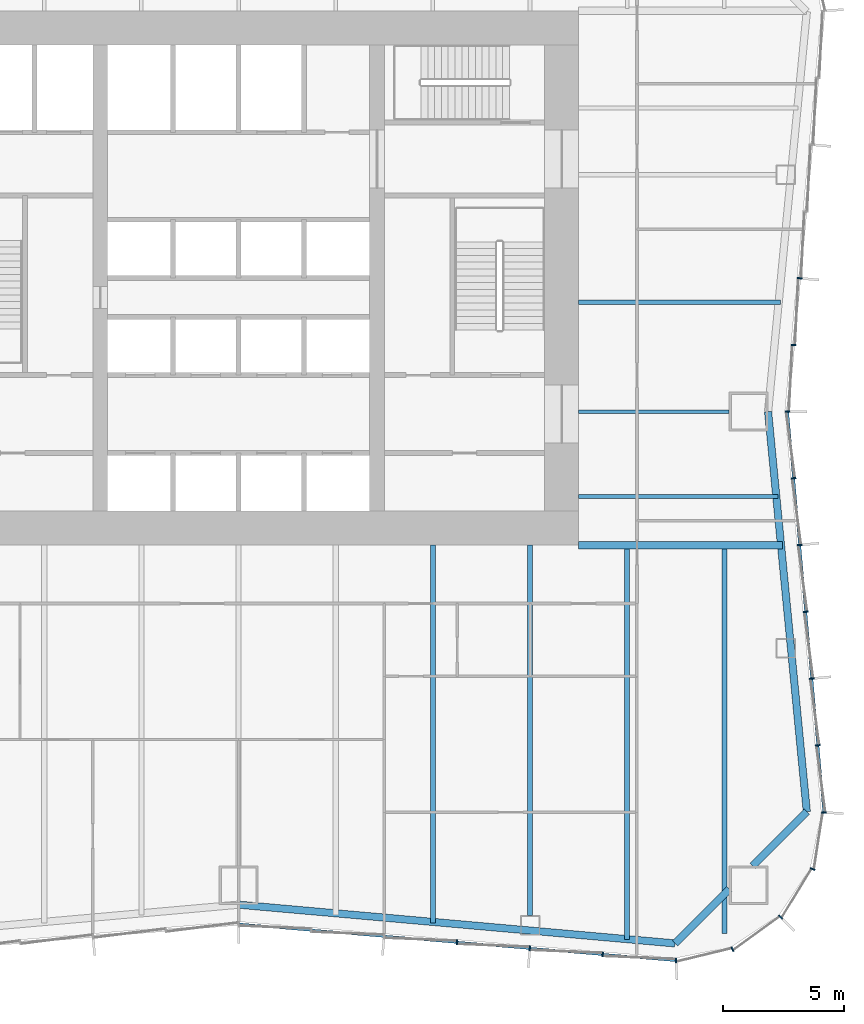
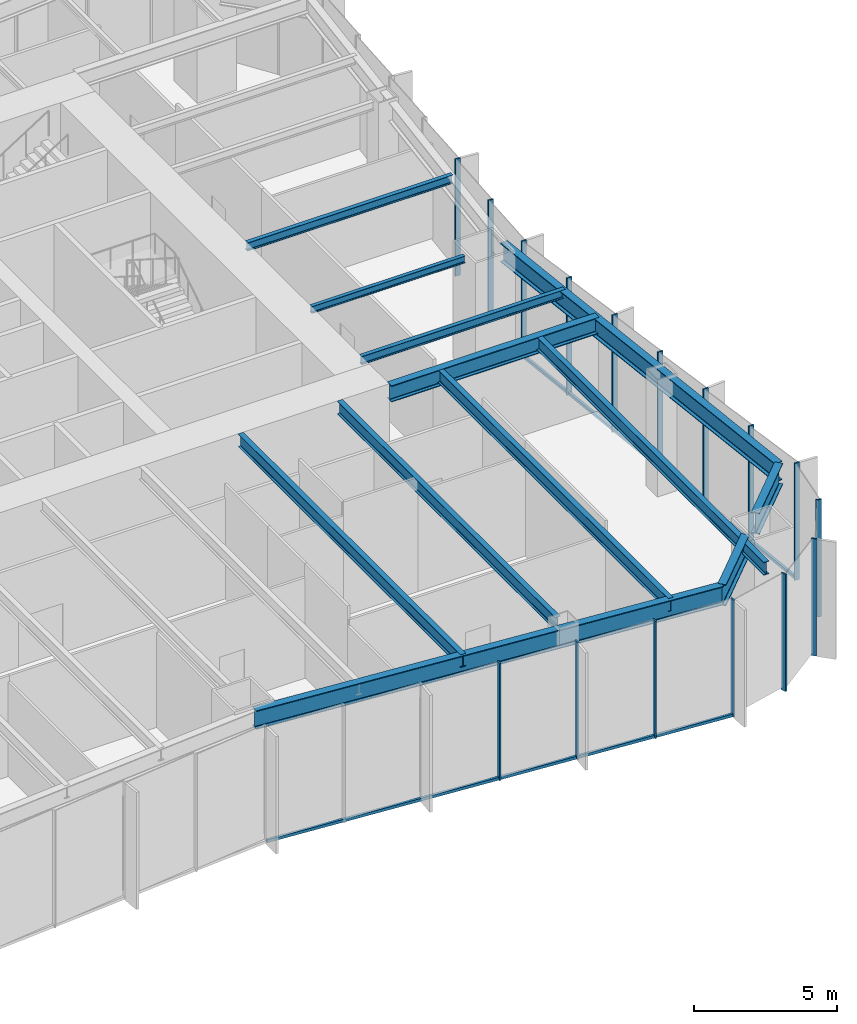
# One storey, part 4 of 14: 18 members, 12 beams, 3 elements without a shape of their own.
"""IFC4 building model written with IfcOpenShell, lengths in metres."""

from ifc_helpers import new_model, si_unit, direction, frame, origin, origin_2d, place, context, subcontext, project, spatial, rectangle, i_section, extrude, material, material_profile, profile_set, type_object, element, aggregate, save


model = new_model("IFC4")

# Units and contexts
model_context = context("Model", 3, precision=1e-05, world=origin(), true_north=direction((0.0, 1.0)))
body_context = subcontext(model_context, "Body", "Model", "MODEL_VIEW")
ifc_project = project(units=[si_unit("LENGTHUNIT", "METRE"), si_unit("AREAUNIT", "SQUARE_METRE"), si_unit("VOLUMEUNIT", "CUBIC_METRE"), si_unit("PLANEANGLEUNIT", "RADIAN"), si_unit("MASSUNIT", "GRAM", prefix="KILO")], contexts=[model_context])

# Site, building, storey
site_placement = place(None, origin())
site = spatial("IfcSite", under=ifc_project, at=site_placement, CompositionType="ELEMENT")
building_placement = place(site_placement, origin())
building = spatial("IfcBuilding", under=site, at=building_placement, Name="Verdant Reach Tower", CompositionType="ELEMENT")
storey_placement = place(building_placement, frame((0.0, 0.0, 9.0)))
storey = spatial("IfcBuildingStorey", under=building, at=storey_placement, Name="L01", CompositionType="ELEMENT", Elevation=9.0)

# Curtain wall, members
ifc_material_1 = material(Name="Anodised aluminium", Category="aluminium")
curtain_wall_type = type_object("IfcCurtainWallType", Name="EN-CW SYSTEM Z0", PredefinedType="NOTDEFINED", material=ifc_material_1)
curtain_wall_1_placement = place(storey_placement, origin())
curtain_wall_1 = element("IfcCurtainWall", 1, at=curtain_wall_1_placement, inside=storey, type_object=curtain_wall_type, Name="Curtain wall south-east corner, L01", PredefinedType="NOTDEFINED")
ifc_material_profile_1 = material_profile(ifc_material_1, rectangle(XDim=0.199951171875, YDim=0.06005859375, at=origin_2d()), Name="Mullion 60x200")
ifc_profile_set_1 = profile_set([ifc_material_profile_1], Name="Anodised aluminium")
member_type_1 = type_object("IfcMemberType", Name="EN-MULLION Z0", PredefinedType="MULLION", material=ifc_profile_set_1)
member_1_placement = place(storey_placement, frame((18.005615234375, -0.099853515625, -0.35009765625), z_axis=(0.0, 0.0, 1.0), x_axis=(0.056569187765, -0.998398681387, 0.0)))
member_1 = element("IfcMember", 2, at=member_1_placement, type_object=member_type_1, Name="Mullion south-east corner 1, L01", PredefinedType="MULLION", context=body_context, shape_type="SweptSolid", body=[
    extrude(rectangle(XDim=0.199951171875, YDim=0.06005859375, at=origin_2d()), origin(), (0.0, 0.0, 1.0), 5.0),
])
member_2_placement = place(storey_placement, frame((20.33447265625, 0.3642578125, -0.35009765625), z_axis=(0.0, 0.0, 1.0), x_axis=(0.382693853776, -0.923875215753, 0.0)))
member_2 = element("IfcMember", 3, at=member_2_placement, type_object=member_type_1, Name="Mullion south-east corner 2, L01", PredefinedType="MULLION", context=body_context, shape_type="SweptSolid", body=[
    extrude(rectangle(XDim=0.199951171875, YDim=0.06005859375, at=origin_2d()), origin(), (0.0, 0.0, 1.0), 5.0),
])
member_3_placement = place(storey_placement, frame((22.313232421875, 1.686767578125, -0.35009765625), z_axis=(0.0, 0.0, 1.0), x_axis=(0.707106781187, -0.707106781187, 0.0)))
member_3 = element("IfcMember", 4, at=member_3_placement, type_object=member_type_1, Name="Mullion south-east corner 3, L01", PredefinedType="MULLION", context=body_context, shape_type="SweptSolid", body=[
    extrude(rectangle(XDim=0.199951171875, YDim=0.06005859375, at=origin_2d()), origin(), (0.0, 0.0, 1.0), 5.0),
])
member_4_placement = place(storey_placement, frame((23.6357421875, 3.66552734375, -0.35009765625), z_axis=(0.0, 0.0, 1.0), x_axis=(0.923875215753, -0.382693853776, 0.0)))
member_4 = element("IfcMember", 5, at=member_4_placement, type_object=member_type_1, Name="Mullion south-east corner 4, L01", PredefinedType="MULLION", context=body_context, shape_type="SweptSolid", body=[
    extrude(rectangle(XDim=0.199951171875, YDim=0.06005859375, at=origin_2d()), origin(), (0.0, 0.0, 1.0), 5.0),
])
aggregate(curtain_wall_1, [member_1, member_2, member_3, member_4])

curtain_wall_2_placement = place(storey_placement, origin())
curtain_wall_2 = element("IfcCurtainWall", 6, at=curtain_wall_2_placement, inside=storey, type_object=curtain_wall_type, Name="Curtain wall east, L01", PredefinedType="NOTDEFINED")
member_5_placement = place(storey_placement, frame((24.099853515625, 5.99462890625, -0.35009765625), z_axis=(0.0, 0.0, 1.0), x_axis=(0.998604288049, -0.052815489107, 0.0)))
member_5 = element("IfcMember", 7, at=member_5_placement, type_object=member_type_1, Name="Mullion east face part 1 1, L01", PredefinedType="MULLION", context=body_context, shape_type="SweptSolid", body=[
    extrude(rectangle(XDim=0.199951171875, YDim=0.06005859375, at=origin_2d()), origin(), (0.0, 0.0, 1.0), 5.0),
])
member_6_placement = place(storey_placement, frame((23.849609375, 8.759033203125, -0.35009765625), z_axis=(0.0, 0.0, 1.0), x_axis=(0.995893206467, 0.090535746047, 0.0)))
member_6 = element("IfcMember", 8, at=member_6_placement, type_object=member_type_1, Name="Mullion east face part 1 2, L01", PredefinedType="MULLION", context=body_context, shape_type="SweptSolid", body=[
    extrude(rectangle(XDim=0.199951171875, YDim=0.06005859375, at=origin_2d()), origin(), (0.0, 0.0, 1.0), 5.0),
])
member_7_placement = place(storey_placement, frame((23.599609375, 11.509033203125, -0.35009765625), z_axis=(0.0, 0.0, 1.0), x_axis=(0.995893206467, 0.090535746047, 0.0)))
member_7 = element("IfcMember", 9, at=member_7_placement, type_object=member_type_1, Name="Mullion east face part 1 3, L01", PredefinedType="MULLION", context=body_context, shape_type="SweptSolid", body=[
    extrude(rectangle(XDim=0.199951171875, YDim=0.06005859375, at=origin_2d()), origin(), (0.0, 0.0, 1.0), 5.0),
])
member_8_placement = place(storey_placement, frame((23.349609375, 14.259033203125, -0.35009765625), z_axis=(0.0, 0.0, 1.0), x_axis=(0.995893206467, 0.090535746047, 0.0)))
member_8 = element("IfcMember", 10, at=member_8_placement, type_object=member_type_1, Name="Mullion east face part 1 4, L01", PredefinedType="MULLION", context=body_context, shape_type="SweptSolid", body=[
    extrude(rectangle(XDim=0.199951171875, YDim=0.06005859375, at=origin_2d()), origin(), (0.0, 0.0, 1.0), 5.0),
])
member_9_placement = place(storey_placement, frame((23.099609375, 17.009033203125, -0.35009765625), z_axis=(0.0, 0.0, 1.0), x_axis=(0.995893206467, 0.090535746047, 0.0)))
member_9 = element("IfcMember", 11, at=member_9_placement, type_object=member_type_1, Name="Mullion east face part 1 5, L01", PredefinedType="MULLION", context=body_context, shape_type="SweptSolid", body=[
    extrude(rectangle(XDim=0.199951171875, YDim=0.06005859375, at=origin_2d()), origin(), (0.0, 0.0, 1.0), 5.0),
])
member_10_placement = place(storey_placement, frame((22.849609375, 19.759033203125, -0.35009765625), z_axis=(0.0, 0.0, 1.0), x_axis=(0.995893206467, 0.090535746047, 0.0)))
member_10 = element("IfcMember", 12, at=member_10_placement, type_object=member_type_1, Name="Mullion east face part 1 6, L01", PredefinedType="MULLION", context=body_context, shape_type="SweptSolid", body=[
    extrude(rectangle(XDim=0.199951171875, YDim=0.06005859375, at=origin_2d()), origin(), (0.0, 0.0, 1.0), 5.0),
])
member_11_placement = place(storey_placement, frame((22.60009765625, 22.5, -0.35009765625), z_axis=(0.0, 0.0, 1.0), x_axis=(1.0, 0.0, 0.0)))
member_11 = element("IfcMember", 13, at=member_11_placement, type_object=member_type_1, Name="Mullion east face part 2 1, L01", PredefinedType="MULLION", context=body_context, shape_type="SweptSolid", body=[
    extrude(rectangle(XDim=0.199951171875, YDim=0.06005859375, at=origin_2d()), origin(), (0.0, 0.0, 1.0), 5.0),
])
member_12_placement = place(storey_placement, frame((22.849609375, 25.240966796875, -0.35009765625), z_axis=(0.0, 0.0, 1.0), x_axis=(0.995893206467, -0.090535746047, 0.0)))
member_12 = element("IfcMember", 14, at=member_12_placement, type_object=member_type_1, Name="Mullion east face part 2 2, L01", PredefinedType="MULLION", context=body_context, shape_type="SweptSolid", body=[
    extrude(rectangle(XDim=0.199951171875, YDim=0.06005859375, at=origin_2d()), origin(), (0.0, 0.0, 1.0), 5.0),
])
member_13_placement = place(storey_placement, frame((23.099609375, 27.990966796875, -0.35009765625), z_axis=(0.0, 0.0, 1.0), x_axis=(0.995893206467, -0.090535746047, 0.0)))
member_13 = element("IfcMember", 15, at=member_13_placement, type_object=member_type_1, Name="Mullion east face part 2 3, L01", PredefinedType="MULLION", context=body_context, shape_type="SweptSolid", body=[
    extrude(rectangle(XDim=0.199951171875, YDim=0.06005859375, at=origin_2d()), origin(), (0.0, 0.0, 1.0), 5.0),
])

curtain_wall_3_placement = place(storey_placement, origin())
curtain_wall_3 = element("IfcCurtainWall", 16, at=curtain_wall_3_placement, inside=storey, type_object=curtain_wall_type, Name="Curtain wall south, L01", PredefinedType="NOTDEFINED")
member_14_placement = place(storey_placement, frame((8.99169921875, 0.650390625, -0.35009765625), z_axis=(0.0, 0.0, 1.0), x_axis=(-0.083045479859, -0.996545758244, 0.0)))
member_14 = element("IfcMember", 17, at=member_14_placement, type_object=member_type_1, Name="Mullion south face part 2 4, L01", PredefinedType="MULLION", context=body_context, shape_type="SweptSolid", body=[
    extrude(rectangle(XDim=0.199951171875, YDim=0.06005859375, at=origin_2d()), origin(), (0.0, 0.0, 1.0), 5.0),
])
member_15_placement = place(storey_placement, frame((11.99169921875, 0.400390625, -0.35009765625), z_axis=(0.0, 0.0, 1.0), x_axis=(-0.083045479859, -0.996545758244, 0.0)))
member_15 = element("IfcMember", 18, at=member_15_placement, type_object=member_type_1, Name="Mullion south face part 2 5, L01", PredefinedType="MULLION", context=body_context, shape_type="SweptSolid", body=[
    extrude(rectangle(XDim=0.199951171875, YDim=0.06005859375, at=origin_2d()), origin(), (0.0, 0.0, 1.0), 5.0),
])
member_16_placement = place(storey_placement, frame((14.99169921875, 0.150390625, -0.35009765625), z_axis=(0.0, 0.0, 1.0), x_axis=(-0.083045479859, -0.996545758244, 0.0)))
member_16 = element("IfcMember", 19, at=member_16_placement, type_object=member_type_1, Name="Mullion south face part 2 6, L01", PredefinedType="MULLION", context=body_context, shape_type="SweptSolid", body=[
    extrude(rectangle(XDim=0.199951171875, YDim=0.06005859375, at=origin_2d()), origin(), (0.0, 0.0, 1.0), 5.0),
])

# Member
ifc_material_profile_2 = material_profile(ifc_material_1, rectangle(XDim=0.10009765625, YDim=0.1201171875, at=origin_2d()), Name="Transom 120x100")
ifc_profile_set_2 = profile_set([ifc_material_profile_2], Name="Anodised aluminium")
member_type_2 = type_object("IfcMemberType", Name="EN-TRANSOM Z0", PredefinedType="USERDEFINED", material=ifc_profile_set_2)
member_17_placement = place(storey_placement, frame((24.09716796875, 6.024658203125, -0.2900390625), z_axis=(-0.090495755184, 0.995896841191, 0.0), x_axis=(-0.995896841191, -0.090495755184, 0.0)))
member_17 = element("IfcMember", 20, at=member_17_placement, type_object=member_type_2, Name="Transom east face part 1 1.1, L01", ObjectType="TRANSOM", PredefinedType="USERDEFINED", context=body_context, shape_type="SweptSolid", body=[
    extrude(rectangle(XDim=0.10009765625, YDim=0.1201171875, at=origin_2d()), origin(), (0.0, 0.0, 1.0), 16.513427734375),
])

aggregate(curtain_wall_2, [member_5, member_6, member_7, member_8, member_9, member_10, member_17, member_11, member_12, member_13])

member_18_placement = place(storey_placement, frame((0.02978515625, 1.3974609375, -0.2900390625), z_axis=(0.996548656072, -0.083010698588, 0.0), x_axis=(0.083010698588, 0.996548656072, 0.0)))
member_18 = element("IfcMember", 21, at=member_18_placement, type_object=member_type_2, Name="Transom south face part 2 1.1, L01", ObjectType="TRANSOM", PredefinedType="USERDEFINED", context=body_context, shape_type="SweptSolid", body=[
    extrude(rectangle(XDim=0.10009765625, YDim=0.1201171875, at=origin_2d()), origin(), (0.0, 0.0, 1.0), 18.00830078125),
])

aggregate(curtain_wall_3, [member_14, member_15, member_16, member_18])

# Beams
ifc_material_2 = material(Name="Steel S355", Category="steel")
ifc_material_profile_3 = material_profile(ifc_material_2, i_section(OverallWidth=0.300048828125, OverallDepth=0.699951171875, WebThickness=0.01708984375, FlangeThickness=0.031982421875, FilletRadius=0.027099609375, at=origin_2d()), Name="HEB 700")
ifc_profile_set_3 = profile_set([ifc_material_profile_3], Name="Steel S355")
beam_type_1 = type_object("IfcBeamType", Name="ST-BEAM-HEB700", PredefinedType="BEAM", material=ifc_profile_set_3)
beam_1_placement = place(storey_placement, frame((14.0, 17.0, 4.52001953125), z_axis=(1.0, 0.0, 0.0), x_axis=(0.0, 1.0, 0.0)))
element("IfcBeam", 22, at=beam_1_placement, inside=storey, type_object=beam_type_1, Name="Trimmer beam, L01", PredefinedType="BEAM", context=body_context, shape_type="SweptSolid", body=[
    extrude(i_section(OverallWidth=0.300048828125, OverallDepth=0.699951171875, WebThickness=0.01708984375, FlangeThickness=0.031982421875, FilletRadius=0.027099609375, at=origin_2d()), origin(), (0.0, 0.0, 1.0), 8.3974609375),
])
ifc_material_profile_4 = material_profile(ifc_material_2, i_section(OverallWidth=0.14990234375, OverallDepth=0.300048828125, WebThickness=0.007080078125, FlangeThickness=0.0107421875, FilletRadius=0.014892578125, at=origin_2d()), Name="IPE 300")
ifc_profile_set_4 = profile_set([ifc_material_profile_4], Name="Steel S355")
beam_type_2 = type_object("IfcBeamType", Name="ST-JOIST-IPE300", PredefinedType="JOIST", material=ifc_profile_set_4)
beam_2_placement = place(storey_placement, frame((14.0, 22.5, 4.719970703125), z_axis=(1.0, 0.0, 0.0), x_axis=(0.0, 1.0, 0.0)))
element("IfcBeam", 23, at=beam_2_placement, inside=storey, type_object=beam_type_2, Name="Floor joist, L01", PredefinedType="JOIST", context=body_context, shape_type="SweptSolid", body=[
    extrude(i_section(OverallWidth=0.14990234375, OverallDepth=0.300048828125, WebThickness=0.007080078125, FlangeThickness=0.0107421875, FilletRadius=0.014892578125, at=origin_2d()), origin(), (0.0, 0.0, 1.0), 6.199951171875),
])
ifc_material_profile_5 = material_profile(ifc_material_2, i_section(OverallWidth=0.169921875, OverallDepth=0.360107421875, WebThickness=0.008056640625, FlangeThickness=0.0126953125, FilletRadius=0.01806640625, at=origin_2d()), Name="IPE 360")
ifc_profile_set_5 = profile_set([ifc_material_profile_5], Name="Steel S355")
beam_type_3 = type_object("IfcBeamType", Name="ST-JOIST-IPE360", PredefinedType="JOIST", material=ifc_profile_set_5)
beam_3_placement = place(storey_placement, frame((14.0, 19.0, 4.68994140625), z_axis=(1.0, 0.0, 0.0), x_axis=(0.0, 1.0, 0.0)))
element("IfcBeam", 24, at=beam_3_placement, inside=storey, type_object=beam_type_3, Name="Floor joist, L01", PredefinedType="JOIST", context=body_context, shape_type="SweptSolid", body=[
    extrude(i_section(OverallWidth=0.169921875, OverallDepth=0.360107421875, WebThickness=0.008056640625, FlangeThickness=0.0126953125, FilletRadius=0.01806640625, at=origin_2d()), origin(), (0.0, 0.0, 1.0), 8.2158203125),
])
beam_4_placement = place(storey_placement, frame((14.0, 27.0, 4.68994140625), z_axis=(1.0, 0.0, 0.0), x_axis=(0.0, 1.0, 0.0)))
element("IfcBeam", 25, at=beam_4_placement, inside=storey, type_object=beam_type_3, Name="Floor joist, L01", PredefinedType="JOIST", context=body_context, shape_type="SweptSolid", body=[
    extrude(i_section(OverallWidth=0.169921875, OverallDepth=0.360107421875, WebThickness=0.008056640625, FlangeThickness=0.0126953125, FilletRadius=0.01806640625, at=origin_2d()), origin(), (0.0, 0.0, 1.0), 8.306640625),
])
ifc_material_profile_6 = material_profile(ifc_material_2, i_section(OverallWidth=0.2099609375, OverallDepth=0.550048828125, WebThickness=0.010986328125, FlangeThickness=0.01708984375, FilletRadius=0.02392578125, at=origin_2d()), Name="IPE 550")
ifc_profile_set_6 = profile_set([ifc_material_profile_6], Name="Steel S355")
beam_type_4 = type_object("IfcBeamType", Name="ST-JOIST-IPE550", PredefinedType="JOIST", material=ifc_profile_set_6)
beam_5_placement = place(storey_placement, frame((8.0, 17.0, 4.594970703125), z_axis=(0.0, -1.0, 0.0), x_axis=(1.0, 0.0, 0.0)))
element("IfcBeam", 26, at=beam_5_placement, inside=storey, type_object=beam_type_4, Name="Floor joist, L01", PredefinedType="JOIST", context=body_context, shape_type="SweptSolid", body=[
    extrude(i_section(OverallWidth=0.2099609375, OverallDepth=0.550048828125, WebThickness=0.010986328125, FlangeThickness=0.01708984375, FilletRadius=0.02392578125, at=origin_2d()), origin(), (0.0, 0.0, 1.0), 15.564697265625),
])
beam_6_placement = place(storey_placement, frame((12.0, 17.0, 4.594970703125), z_axis=(0.0, -1.0, 0.0), x_axis=(1.0, 0.0, 0.0)))
element("IfcBeam", 27, at=beam_6_placement, inside=storey, type_object=beam_type_4, Name="Floor joist, L01", PredefinedType="JOIST", context=body_context, shape_type="SweptSolid", body=[
    extrude(i_section(OverallWidth=0.2099609375, OverallDepth=0.550048828125, WebThickness=0.010986328125, FlangeThickness=0.01708984375, FilletRadius=0.02392578125, at=origin_2d()), origin(), (0.0, 0.0, 1.0), 15.25),
])
beam_7_placement = place(storey_placement, frame((16.0, 16.89990234375, 4.594970703125), z_axis=(0.0, -1.0, 0.0), x_axis=(1.0, 0.0, 0.0)))
element("IfcBeam", 28, at=beam_7_placement, inside=storey, type_object=beam_type_4, Name="Floor joist, L01", PredefinedType="JOIST", context=body_context, shape_type="SweptSolid", body=[
    extrude(i_section(OverallWidth=0.2099609375, OverallDepth=0.550048828125, WebThickness=0.010986328125, FlangeThickness=0.01708984375, FilletRadius=0.02392578125, at=origin_2d()), origin(), (0.0, 0.0, 1.0), 16.131103515625),
])
beam_8_placement = place(storey_placement, frame((20.0, 16.89990234375, 4.594970703125), z_axis=(0.0, -1.0, 0.0), x_axis=(1.0, 0.0, 0.0)))
element("IfcBeam", 29, at=beam_8_placement, inside=storey, type_object=beam_type_4, Name="Floor joist, L01", PredefinedType="JOIST", context=body_context, shape_type="SweptSolid", body=[
    extrude(i_section(OverallWidth=0.2099609375, OverallDepth=0.550048828125, WebThickness=0.010986328125, FlangeThickness=0.01708984375, FilletRadius=0.02392578125, at=origin_2d()), origin(), (0.0, 0.0, 1.0), 15.890380859375),
])
ifc_material_profile_7 = material_profile(ifc_material_2, i_section(OverallWidth=0.300048828125, OverallDepth=0.800048828125, WebThickness=0.017578125, FlangeThickness=0.032958984375, FilletRadius=0.030029296875, at=origin_2d()), Name="HEB 800")
ifc_profile_set_7 = profile_set([ifc_material_profile_7], Name="Steel S355")
beam_type_5 = type_object("IfcBeamType", Name="ST-SPANDREL-HEB800", PredefinedType="SPANDREL", material=ifc_profile_set_7)
beam_9_placement = place(storey_placement, frame((17.9658203125, 0.60498046875, 4.469970703125), z_axis=(-0.996082370463, 0.088430262084, 0.0), x_axis=(-0.088430262084, -0.996082370463, 0.0)))
element("IfcBeam", 30, at=beam_9_placement, inside=storey, type_object=beam_type_5, Name="Edge beam, L01", PredefinedType="SPANDREL", context=body_context, shape_type="SweptSolid", body=[
    extrude(i_section(OverallWidth=0.300048828125, OverallDepth=0.800048828125, WebThickness=0.017578125, FlangeThickness=0.032958984375, FilletRadius=0.030029296875, at=origin_2d()), origin(), (0.0, 0.0, 1.0), 18.036376953125),
])
beam_10_placement = place(storey_placement, frame((21.800048828125, 22.5, 4.469970703125), z_axis=(0.096372296695, -0.995345357366, 0.0), x_axis=(0.995345357366, 0.096372296695, 0.0)))
element("IfcBeam", 31, at=beam_10_placement, inside=storey, type_object=beam_type_5, Name="Edge beam, L01", PredefinedType="SPANDREL", context=body_context, shape_type="SweptSolid", body=[
    extrude(i_section(OverallWidth=0.300048828125, OverallDepth=0.800048828125, WebThickness=0.017578125, FlangeThickness=0.032958984375, FilletRadius=0.030029296875, at=origin_2d()), origin(), (0.0, 0.0, 1.0), 16.544921875),
])
ifc_material_profile_8 = material_profile(ifc_material_2, i_section(OverallWidth=0.302001953125, OverallDepth=0.909912109375, WebThickness=0.02099609375, FlangeThickness=0.0400390625, FilletRadius=0.030029296875, at=origin_2d()), Name="HEM 900")
ifc_profile_set_8 = profile_set([ifc_material_profile_8], Name="Steel S355")
beam_type_6 = type_object("IfcBeamType", Name="ST-SPANDREL-HEM900", PredefinedType="SPANDREL", material=ifc_profile_set_8)
beam_11_placement = place(storey_placement, frame((23.39453125, 6.031982421875, 4.4150390625), z_axis=(-0.70722277322, -0.706990770123, 0.0), x_axis=(0.706990770123, -0.70722277322, 0.0)))
element("IfcBeam", 32, at=beam_11_placement, inside=storey, type_object=beam_type_6, Name="Edge beam, L01", PredefinedType="SPANDREL", context=body_context, shape_type="SweptSolid", body=[
    extrude(i_section(OverallWidth=0.302001953125, OverallDepth=0.909912109375, WebThickness=0.02099609375, FlangeThickness=0.0400390625, FilletRadius=0.030029296875, at=origin_2d()), origin(), (0.0, 0.0, 1.0), 3.156982421875),
])
beam_12_placement = place(storey_placement, frame((20.199951171875, 2.83837890625, 4.4150390625), z_axis=(-0.707222697162, -0.706990846206, 0.0), x_axis=(0.706990846206, -0.707222697162, 0.0)))
element("IfcBeam", 33, at=beam_12_placement, inside=storey, type_object=beam_type_6, Name="Edge beam, L01", PredefinedType="SPANDREL", context=body_context, shape_type="SweptSolid", body=[
    extrude(i_section(OverallWidth=0.302001953125, OverallDepth=0.909912109375, WebThickness=0.02099609375, FlangeThickness=0.0400390625, FilletRadius=0.030029296875, at=origin_2d()), origin(), (0.0, 0.0, 1.0), 3.158935546875),
])

save(model, "model.ifc")
